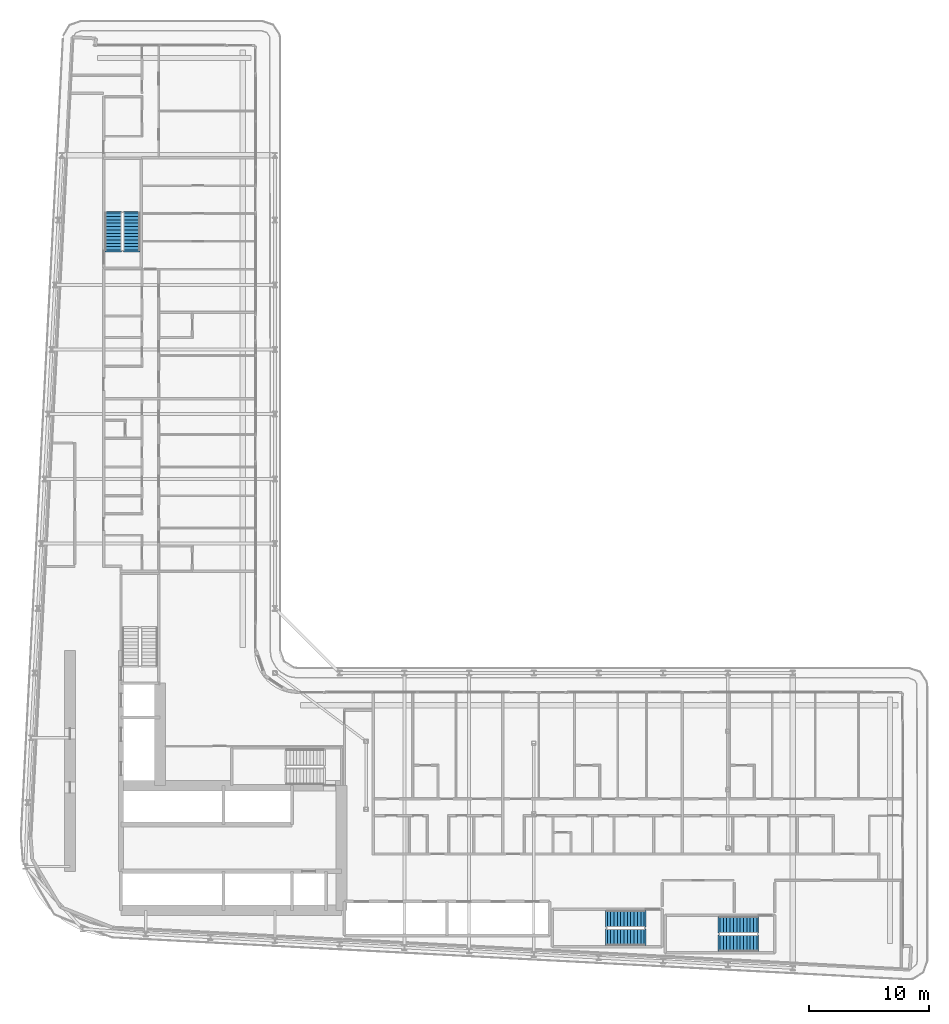
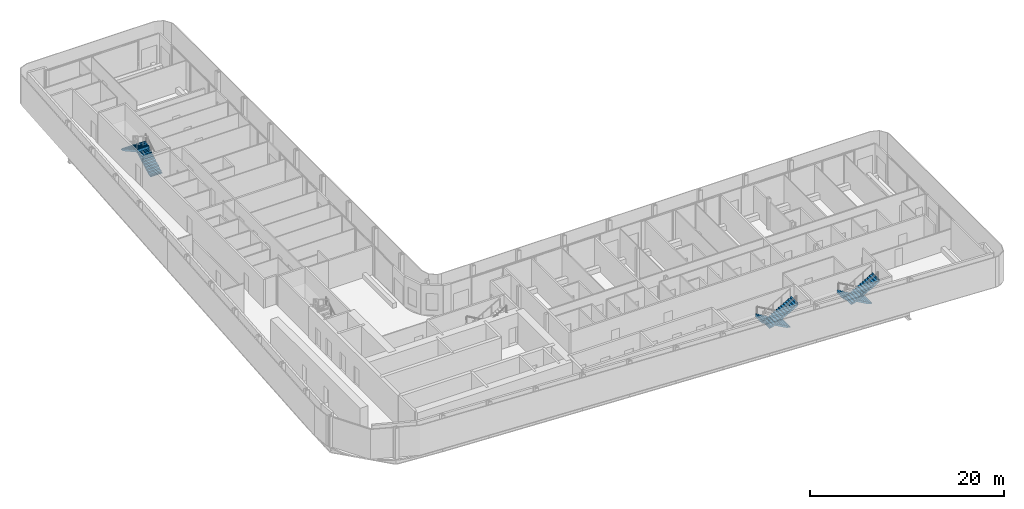
# One storey, part 22 of 29: 6 stair flights, 3 elements without a shape of their own.
"""IFC4 building model written with IfcOpenShell, lengths in metres."""

from ifc_helpers import new_model, si_unit, direction, frame, origin, place, context, subcontext, project, spatial, polyline, outline, extrude, material, layer, layer_set, type_object, element, aggregate, save


model = new_model("IFC4")

# Units and contexts
model_context = context("Model", 3, precision=1e-05, world=origin(), true_north=direction((0.0, 1.0)))
body_context = subcontext(model_context, "Body", "Model", "MODEL_VIEW")
ifc_project = project(units=[si_unit("LENGTHUNIT", "METRE"), si_unit("AREAUNIT", "SQUARE_METRE"), si_unit("VOLUMEUNIT", "CUBIC_METRE"), si_unit("PLANEANGLEUNIT", "RADIAN"), si_unit("MASSUNIT", "GRAM", prefix="KILO")], contexts=[model_context])

# Site, building, storey
site_placement = place(None, origin())
site = spatial("IfcSite", under=ifc_project, at=site_placement, CompositionType="ELEMENT")
building_placement = place(site_placement, origin())
building = spatial("IfcBuilding", under=site, at=building_placement, Name="Kheshtan School and Residences Tower", CompositionType="ELEMENT")
storey_placement = place(building_placement, frame((0.0, 0.0, 117.5)))
storey = spatial("IfcBuildingStorey", under=building, at=storey_placement, Name="L27", CompositionType="ELEMENT", Elevation=117.5)

# Stair, stair flights
ifc_material = material(Name="Concrete C40/50", Category="concrete")
stair_type = type_object("IfcStairType", Name="Exit stair, half-turn", PredefinedType="HALF_TURN_STAIR", material=ifc_material)
stair_1_placement = place(storey_placement, origin())
stair_1 = element("IfcStair", 1, at=stair_1_placement, inside=storey, type_object=stair_type, Name="L27 Protected Exit Stair ST3", PredefinedType="HALF_TURN_STAIR")
ifc_layer = layer(ifc_material, 0.14990234375)
ifc_layer_set = layer_set([ifc_layer], Name="Stair flight 1400 Concrete C40/50")
stair_flight_type = type_object("IfcStairFlightType", Name="Stair flight 1400 Concrete C40/50", PredefinedType="STRAIGHT", material=ifc_layer_set)
stair_flight_1_placement = place(storey_placement, frame((35.64990234375, 80.89990234375, 0.0), z_axis=(0.0, 0.0, 1.0), x_axis=(0.0, 1.0, 0.0)))
stair_flight_1 = element("IfcStairFlight", 2, at=stair_flight_1_placement, type_object=stair_flight_type, Name="ST3 flight 1", NumberOfRisers=12, NumberOfTreads=11, PredefinedType="STRAIGHT", RiserHeight=0.1625, TreadLength=0.28, context=body_context, shape_type="SweptSolid", body=[
    extrude(outline(polyline([(-0.14990234375, -0.10009765625), (-0.14990234375, 0.0), (0.0, 0.0), (0.0, 0.16259765625), (0.280029296875, 0.16259765625), (0.280029296875, 0.324951171875), (0.56005859375, 0.324951171875), (0.56005859375, 0.487548828125), (0.840087890625, 0.487548828125), (0.840087890625, 0.64990234375), (1.1201171875, 0.64990234375), (1.1201171875, 0.8125), (1.39990234375, 0.8125), (1.39990234375, 0.97509765625), (1.679931640625, 0.97509765625), (1.679931640625, 1.137451171875), (1.9599609375, 1.137451171875), (1.9599609375, 1.300048828125), (2.239990234375, 1.300048828125), (2.239990234375, 1.46240234375), (2.52001953125, 1.46240234375), (2.52001953125, 1.625), (2.800048828125, 1.625), (2.800048828125, 1.78759765625), (3.080078125, 1.78759765625), (3.080078125, 1.949951171875), (3.080078125, 1.969970703125), (3.22998046875, 1.969970703125), (3.22998046875, 1.6142578125), (0.298583984375, 0.0), (-0.14990234375, -0.10009765625)])), frame((0.0, 0.699951171875, 0.0), z_axis=(0.0, -1.0, 0.0), x_axis=(1.0, 0.0, 0.0)), (0.0, 0.0, 1.0), 1.39990234375),
])
stair_flight_2_placement = place(storey_placement, frame((34.10009765625, 83.97998046875, 1.949951171875), z_axis=(0.0, 0.0, 1.0), x_axis=(0.0, -1.0, 0.0)))
stair_flight_2 = element("IfcStairFlight", 3, at=stair_flight_2_placement, type_object=stair_flight_type, Name="ST3 flight 2", NumberOfRisers=12, NumberOfTreads=11, PredefinedType="STRAIGHT", RiserHeight=0.1625, TreadLength=0.28, context=body_context, shape_type="SweptSolid", body=[
    extrude(outline(polyline([(-0.14990234375, -0.10009765625), (-0.14990234375, 0.0), (0.0, 0.0), (0.0, 0.16259765625), (0.280029296875, 0.16259765625), (0.280029296875, 0.324951171875), (0.56005859375, 0.324951171875), (0.56005859375, 0.487548828125), (0.840087890625, 0.487548828125), (0.840087890625, 0.64990234375), (1.1201171875, 0.64990234375), (1.1201171875, 0.8125), (1.39990234375, 0.8125), (1.39990234375, 0.97509765625), (1.679931640625, 0.97509765625), (1.679931640625, 1.137451171875), (1.9599609375, 1.137451171875), (1.9599609375, 1.300048828125), (2.239990234375, 1.300048828125), (2.239990234375, 1.46240234375), (2.52001953125, 1.46240234375), (2.52001953125, 1.625), (2.800048828125, 1.625), (2.800048828125, 1.78759765625), (3.080078125, 1.78759765625), (3.080078125, 1.949951171875), (3.080078125, 1.969970703125), (3.22998046875, 1.969970703125), (3.22998046875, 1.6142578125), (0.298583984375, 0.0), (-0.14990234375, -0.10009765625)])), frame((0.0, 0.699951171875, 0.0), z_axis=(0.0, -1.0, 0.0), x_axis=(1.0, 0.0, 0.0)), (0.0, 0.0, 1.0), 1.39990234375),
])
aggregate(stair_1, [stair_flight_1, stair_flight_2])

stair_2_placement = place(storey_placement, origin())
stair_2 = element("IfcStair", 4, at=stair_2_placement, inside=storey, type_object=stair_type, Name="L27 Protected Exit Stair ST4", PredefinedType="HALF_TURN_STAIR")
stair_flight_3_placement = place(storey_placement, frame((87.820068359375, 24.60009765625, 0.0), z_axis=(0.0, 0.0, 1.0), x_axis=(-1.0, 0.0, 0.0)))
stair_flight_3 = element("IfcStairFlight", 5, at=stair_flight_3_placement, type_object=stair_flight_type, Name="ST4 flight 1", NumberOfRisers=12, NumberOfTreads=11, PredefinedType="STRAIGHT", RiserHeight=0.1625, TreadLength=0.28, context=body_context, shape_type="SweptSolid", body=[
    extrude(outline(polyline([(-0.14990234375, -0.10009765625), (-0.14990234375, 0.0), (0.0, 0.0), (0.0, 0.16259765625), (0.280029296875, 0.16259765625), (0.280029296875, 0.324951171875), (0.56005859375, 0.324951171875), (0.56005859375, 0.487548828125), (0.840087890625, 0.487548828125), (0.840087890625, 0.64990234375), (1.1201171875, 0.64990234375), (1.1201171875, 0.8125), (1.39990234375, 0.8125), (1.39990234375, 0.97509765625), (1.679931640625, 0.97509765625), (1.679931640625, 1.137451171875), (1.9599609375, 1.137451171875), (1.9599609375, 1.300048828125), (2.239990234375, 1.300048828125), (2.239990234375, 1.46240234375), (2.52001953125, 1.46240234375), (2.52001953125, 1.625), (2.800048828125, 1.625), (2.800048828125, 1.78759765625), (3.080078125, 1.78759765625), (3.080078125, 1.949951171875), (3.080078125, 1.969970703125), (3.22998046875, 1.969970703125), (3.22998046875, 1.6142578125), (0.298583984375, 0.0), (-0.14990234375, -0.10009765625)])), frame((0.0, 0.699951171875, 0.0), z_axis=(0.0, -1.0, 0.0), x_axis=(1.0, 0.0, 0.0)), (0.0, 0.0, 1.0), 1.39990234375),
])
stair_flight_4_placement = place(storey_placement, frame((84.739990234375, 23.050048828125, 1.949951171875), z_axis=(0.0, 0.0, 1.0), x_axis=(1.0, 0.0, 0.0)))
stair_flight_4 = element("IfcStairFlight", 6, at=stair_flight_4_placement, type_object=stair_flight_type, Name="ST4 flight 2", NumberOfRisers=12, NumberOfTreads=11, PredefinedType="STRAIGHT", RiserHeight=0.1625, TreadLength=0.28, context=body_context, shape_type="SweptSolid", body=[
    extrude(outline(polyline([(-0.14990234375, -0.10009765625), (-0.14990234375, 0.0), (0.0, 0.0), (0.0, 0.16259765625), (0.280029296875, 0.16259765625), (0.280029296875, 0.324951171875), (0.56005859375, 0.324951171875), (0.56005859375, 0.487548828125), (0.840087890625, 0.487548828125), (0.840087890625, 0.64990234375), (1.1201171875, 0.64990234375), (1.1201171875, 0.8125), (1.39990234375, 0.8125), (1.39990234375, 0.97509765625), (1.679931640625, 0.97509765625), (1.679931640625, 1.137451171875), (1.9599609375, 1.137451171875), (1.9599609375, 1.300048828125), (2.239990234375, 1.300048828125), (2.239990234375, 1.46240234375), (2.52001953125, 1.46240234375), (2.52001953125, 1.625), (2.800048828125, 1.625), (2.800048828125, 1.78759765625), (3.080078125, 1.78759765625), (3.080078125, 1.949951171875), (3.080078125, 1.969970703125), (3.22998046875, 1.969970703125), (3.22998046875, 1.6142578125), (0.298583984375, 0.0), (-0.14990234375, -0.10009765625)])), frame((0.0, 0.699951171875, 0.0), z_axis=(0.0, -1.0, 0.0), x_axis=(1.0, 0.0, 0.0)), (0.0, 0.0, 1.0), 1.39990234375),
])
aggregate(stair_2, [stair_flight_3, stair_flight_4])

stair_3_placement = place(storey_placement, origin())
stair_3 = element("IfcStair", 7, at=stair_3_placement, inside=storey, type_object=stair_type, Name="L27 Protected Exit Stair ST5", PredefinedType="HALF_TURN_STAIR")
stair_flight_5_placement = place(storey_placement, frame((78.409912109375, 25.10009765625, 0.0), z_axis=(0.0, 0.0, 1.0), x_axis=(-1.0, 0.0, 0.0)))
stair_flight_5 = element("IfcStairFlight", 8, at=stair_flight_5_placement, type_object=stair_flight_type, Name="ST5 flight 1", NumberOfRisers=12, NumberOfTreads=11, PredefinedType="STRAIGHT", RiserHeight=0.1625, TreadLength=0.28, context=body_context, shape_type="SweptSolid", body=[
    extrude(outline(polyline([(-0.14990234375, -0.10009765625), (-0.14990234375, 0.0), (0.0, 0.0), (0.0, 0.16259765625), (0.280029296875, 0.16259765625), (0.280029296875, 0.324951171875), (0.56005859375, 0.324951171875), (0.56005859375, 0.487548828125), (0.840087890625, 0.487548828125), (0.840087890625, 0.64990234375), (1.1201171875, 0.64990234375), (1.1201171875, 0.8125), (1.39990234375, 0.8125), (1.39990234375, 0.97509765625), (1.679931640625, 0.97509765625), (1.679931640625, 1.137451171875), (1.9599609375, 1.137451171875), (1.9599609375, 1.300048828125), (2.239990234375, 1.300048828125), (2.239990234375, 1.46240234375), (2.52001953125, 1.46240234375), (2.52001953125, 1.625), (2.800048828125, 1.625), (2.800048828125, 1.78759765625), (3.080078125, 1.78759765625), (3.080078125, 1.949951171875), (3.080078125, 1.969970703125), (3.22998046875, 1.969970703125), (3.22998046875, 1.6142578125), (0.298583984375, 0.0), (-0.14990234375, -0.10009765625)])), frame((0.0, 0.699951171875, 0.0), z_axis=(0.0, -1.0, 0.0), x_axis=(1.0, 0.0, 0.0)), (0.0, 0.0, 1.0), 1.39990234375),
])
stair_flight_6_placement = place(storey_placement, frame((75.330078125, 23.550048828125, 1.949951171875), z_axis=(0.0, 0.0, 1.0), x_axis=(1.0, 0.0, 0.0)))
stair_flight_6 = element("IfcStairFlight", 9, at=stair_flight_6_placement, type_object=stair_flight_type, Name="ST5 flight 2", NumberOfRisers=12, NumberOfTreads=11, PredefinedType="STRAIGHT", RiserHeight=0.1625, TreadLength=0.28, context=body_context, shape_type="SweptSolid", body=[
    extrude(outline(polyline([(-0.14990234375, -0.10009765625), (-0.14990234375, 0.0), (0.0, 0.0), (0.0, 0.16259765625), (0.280029296875, 0.16259765625), (0.280029296875, 0.324951171875), (0.56005859375, 0.324951171875), (0.56005859375, 0.487548828125), (0.840087890625, 0.487548828125), (0.840087890625, 0.64990234375), (1.1201171875, 0.64990234375), (1.1201171875, 0.8125), (1.39990234375, 0.8125), (1.39990234375, 0.97509765625), (1.679931640625, 0.97509765625), (1.679931640625, 1.137451171875), (1.9599609375, 1.137451171875), (1.9599609375, 1.300048828125), (2.239990234375, 1.300048828125), (2.239990234375, 1.46240234375), (2.52001953125, 1.46240234375), (2.52001953125, 1.625), (2.800048828125, 1.625), (2.800048828125, 1.78759765625), (3.080078125, 1.78759765625), (3.080078125, 1.949951171875), (3.080078125, 1.969970703125), (3.22998046875, 1.969970703125), (3.22998046875, 1.6142578125), (0.298583984375, 0.0), (-0.14990234375, -0.10009765625)])), frame((0.0, 0.699951171875, 0.0), z_axis=(0.0, -1.0, 0.0), x_axis=(1.0, 0.0, 0.0)), (0.0, 0.0, 1.0), 1.39990234375),
])
aggregate(stair_3, [stair_flight_5, stair_flight_6])

save(model, "model.ifc")
